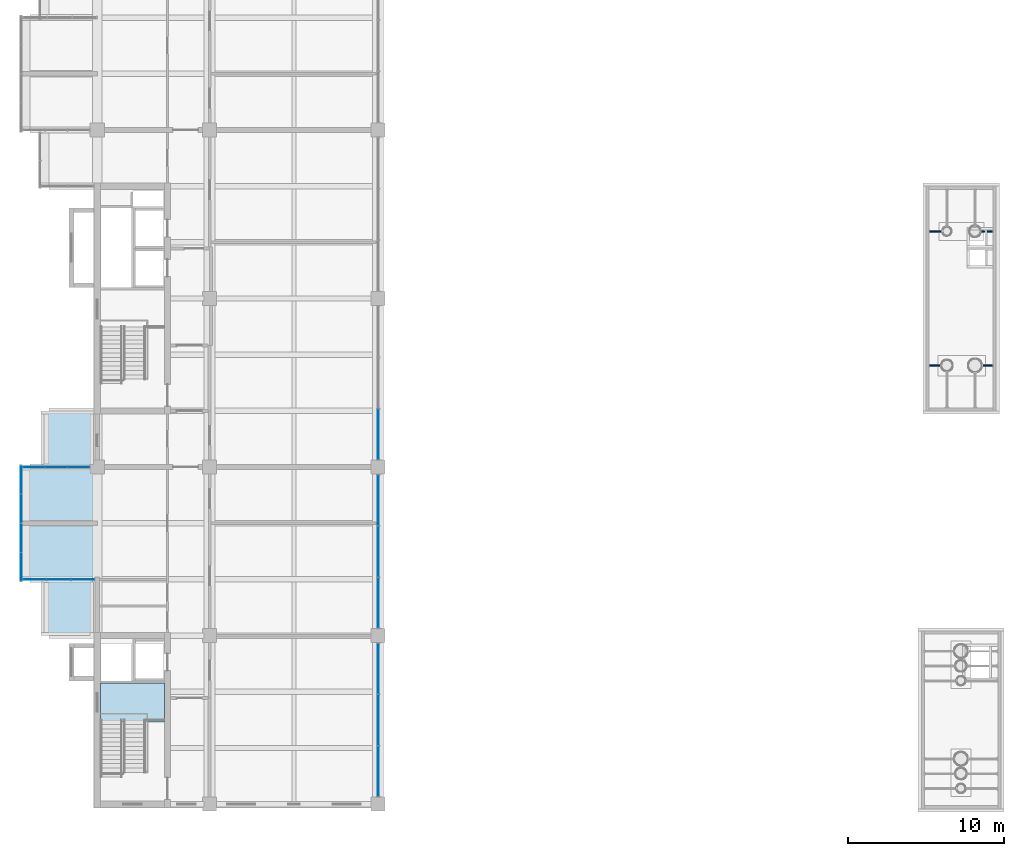
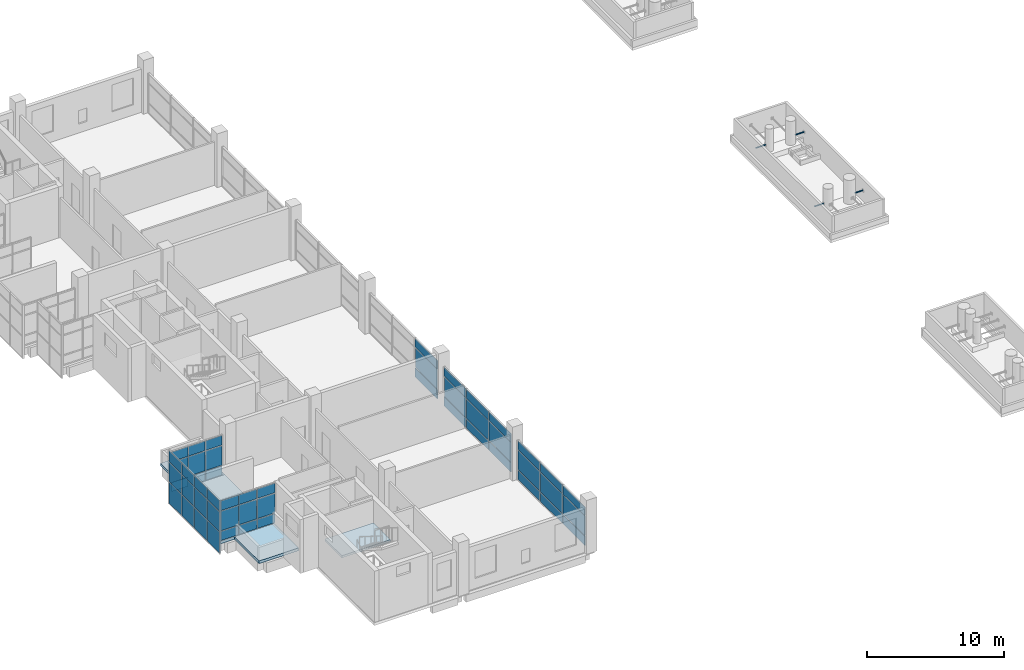
# One storey, part 11 of 22: 51 plates, 4 members, 4 slabs, 7 elements without a shape of their own.
"""IFC4 building model written with IfcOpenShell, lengths in metres."""

from ifc_helpers import new_model, si_unit, direction, frame, origin, origin_2d, place, context, subcontext, project, spatial, polyline, rectangle, hollow_circle, outline, extrude, material, layer, layer_set, material_profile, profile_set, type_object, element, aggregate, save


model = new_model("IFC4")

# Units and contexts
model_context = context("Model", 3, precision=1e-05, world=origin(), true_north=direction((0.0, 1.0)))
body_context = subcontext(model_context, "Body", "Model", "MODEL_VIEW")
ifc_project = project(units=[si_unit("LENGTHUNIT", "METRE"), si_unit("AREAUNIT", "SQUARE_METRE"), si_unit("VOLUMEUNIT", "CUBIC_METRE"), si_unit("PLANEANGLEUNIT", "RADIAN"), si_unit("MASSUNIT", "GRAM", prefix="KILO")], contexts=[model_context])

# Site, building, storey
site_placement = place(None, origin())
site = spatial("IfcSite", under=ifc_project, at=site_placement, CompositionType="ELEMENT")
building_placement = place(site_placement, origin())
building = spatial("IfcBuilding", under=site, at=building_placement, Name="Basin Gate Institute", CompositionType="ELEMENT")
storey_placement = place(building_placement, frame((0.0, 0.0, 51.0)))
storey = spatial("IfcBuildingStorey", under=building, at=storey_placement, Name="L10", CompositionType="ELEMENT", Elevation=51.0)

# Members
ifc_material_1 = material(Name="Structural steel SN490", Category="steel")
ifc_material_profile = material_profile(ifc_material_1, hollow_circle(Radius=0.05712890625, WallThickness=0.0048828125, at=origin_2d()), Name="CHS114x5")
ifc_profile_set = profile_set([ifc_material_profile], Name="Structural steel SN490")
member_type = type_object("IfcMemberType", Name="Exhaust pipe tie TD5", PredefinedType="BRACE", material=ifc_profile_set)
member_1_placement = place(storey_placement, frame((115.27490234375, 63.199951171875, 1.25), z_axis=(-1.0, 0.0, 0.0), x_axis=(0.0, -1.0, 0.0)))
element("IfcMember", 1, at=member_1_placement, inside=storey, type_object=member_type, material=ifc_profile_set, Name="Exhaust pipe tie TD5 EM 1a", PredefinedType="BRACE", context=body_context, shape_type="SweptSolid", body=[
    extrude(hollow_circle(Radius=0.05712890625, WallThickness=0.0048828125, at=origin_2d()), origin(), (0.0, 0.0, 1.0), 0.77490234375),
])
member_2_placement = place(storey_placement, frame((117.89990234375, 63.199951171875, 1.25), z_axis=(1.0, 0.0, 0.0), x_axis=(0.0, 1.0, 0.0)))
element("IfcMember", 2, at=member_2_placement, inside=storey, type_object=member_type, material=ifc_profile_set, Name="Exhaust pipe tie TD5 EM 2a", PredefinedType="BRACE", context=body_context, shape_type="SweptSolid", body=[
    extrude(hollow_circle(Radius=0.05712890625, WallThickness=0.0048828125, at=origin_2d()), origin(), (0.0, 0.0, 1.0), 0.7001953125),
])
member_3_placement = place(storey_placement, frame((115.35009765625, 71.800048828125, 1.25), z_axis=(-1.0, 0.0, 0.0), x_axis=(0.0, -1.0, 0.0)))
element("IfcMember", 3, at=member_3_placement, inside=storey, type_object=member_type, material=ifc_profile_set, Name="Exhaust pipe tie TD5 EM 3a", PredefinedType="BRACE", context=body_context, shape_type="SweptSolid", body=[
    extrude(hollow_circle(Radius=0.05712890625, WallThickness=0.0048828125, at=origin_2d()), origin(), (0.0, 0.0, 1.0), 0.85009765625),
])
member_4_placement = place(storey_placement, frame((117.824951171875, 71.800048828125, 1.25), z_axis=(1.0, 0.0, 0.0), x_axis=(0.0, 1.0, 0.0)))
element("IfcMember", 4, at=member_4_placement, inside=storey, type_object=member_type, material=ifc_profile_set, Name="Exhaust pipe tie TD5 EM 4a", PredefinedType="BRACE", context=body_context, shape_type="SweptSolid", body=[
    extrude(hollow_circle(Radius=0.05712890625, WallThickness=0.0048828125, at=origin_2d()), origin(), (0.0, 0.0, 1.0), 0.775146484375),
])

# Slabs
ifc_material_2 = material(Name="Concrete 40 MPa", Category="concrete")
ifc_layer_1 = layer(ifc_material_2, 0.25)
ifc_layer_set_1 = layer_set([ifc_layer_1], Name="Concrete 40 MPa")
slab_type_1 = type_object("IfcSlabType", Name="Slab RS4 R120", PredefinedType="ROOF", material=ifc_layer_set_1)
slab_1_placement = place(storey_placement, frame((0.0, 0.0, -0.25)))
element("IfcSlab", 5, at=slab_1_placement, inside=storey, type_object=slab_type_1, material=ifc_layer_set_1, Name="SLAB/L10/WK11", PredefinedType="ROOF", context=body_context, shape_type="SweptSolid", body=[
    extrude(outline(polyline([(57.60009765625, 45.89990234375), (60.949951171875, 45.89990234375), (60.949951171875, 49.5), (57.60009765625, 49.5), (57.60009765625, 45.89990234375)])), origin(), (0.0, 0.0, 1.0), 0.25),
])
slab_2_placement = place(storey_placement, frame((0.0, 0.0, -0.25)))
element("IfcSlab", 6, at=slab_2_placement, inside=storey, type_object=slab_type_1, material=ifc_layer_set_1, Name="SLAB/L10/WK14", PredefinedType="ROOF", context=body_context, shape_type="SweptSolid", body=[
    extrude(outline(polyline([(57.60009765625, 56.699951171875), (60.949951171875, 56.699951171875), (60.949951171875, 60.300048828125), (57.60009765625, 60.300048828125), (57.60009765625, 56.699951171875)])), origin(), (0.0, 0.0, 1.0), 0.25),
])
ifc_material_3 = material(Name="Concrete 40 MPa", Category="concrete")
ifc_layer_2 = layer(ifc_material_3, 0.25)
ifc_layer_set_2 = layer_set([ifc_layer_2], Name="Concrete 40 MPa")
slab_type_2 = type_object("IfcSlabType", Name="Slab SL4 R120", PredefinedType="FLOOR", material=ifc_layer_set_2)
slab_3_placement = place(storey_placement, frame((0.0, 0.0, -0.25)))
element("IfcSlab", 7, at=slab_3_placement, inside=storey, type_object=slab_type_2, material=ifc_layer_set_2, Name="SLAB/L10/WK12", PredefinedType="FLOOR", context=body_context, shape_type="SweptSolid", body=[
    extrude(outline(polyline([(60.949951171875, 49.5), (56.39990234375, 49.5), (56.39990234375, 56.699951171875), (60.949951171875, 56.699951171875), (60.949951171875, 49.5)])), origin(), (0.0, 0.0, 1.0), 0.25),
])

# Curtain wall, plates
ifc_material_4 = material(Name="Aluminium-framed glazing", Category="aluminium")
ifc_layer_3 = layer(ifc_material_4, 0.199951171875)
ifc_layer_set_3 = layer_set([ifc_layer_3], Name="Atrium curtain wall CW2")
curtain_wall_type_1 = type_object("IfcCurtainWallType", Name="Atrium curtain wall CW2", PredefinedType="NOTDEFINED", material=ifc_layer_set_3)
curtain_wall_1_placement = place(storey_placement, origin())
curtain_wall_1 = element("IfcCurtainWall", 8, at=curtain_wall_1_placement, inside=storey, type_object=curtain_wall_type_1, material=ifc_layer_set_3, Name="Atrium curtain wall W wing atrium bay 1 L10", PredefinedType="NOTDEFINED")
ifc_material_5 = material(Name="Aluminium insulated spandrel panel", Category="aluminium")
ifc_layer_4 = layer(ifc_material_5, 0.050048828125)
ifc_layer_set_4 = layer_set([ifc_layer_4], Name="Spandrel panel PN2")
plate_type_1 = type_object("IfcPlateType", Name="Spandrel panel PN2", PredefinedType="CURTAIN_PANEL", material=ifc_layer_set_4)
plate_1_placement = place(storey_placement, frame((79.199951171875, 37.215087890625, 0.06005859375), z_axis=(0.0, 0.0, 1.0), x_axis=(0.0, 1.0, 0.0)))
plate_1 = element("IfcPlate", 9, at=plate_1_placement, type_object=plate_type_1, material=ifc_layer_set_4, Name="CW2 spandrel panel 1.1", PredefinedType="CURTAIN_PANEL", context=body_context, shape_type="SweptSolid", body=[
    extrude(rectangle(XDim=3.2099609375, YDim=0.050048828125, at=origin_2d()), origin(), (0.0, 0.0, 1.0), 0.81005859375),
])
plate_2_placement = place(storey_placement, frame((79.199951171875, 37.215087890625, 2.72998046875), z_axis=(0.0, 0.0, 1.0), x_axis=(0.0, 1.0, 0.0)))
plate_2 = element("IfcPlate", 10, at=plate_2_placement, type_object=plate_type_1, material=ifc_layer_set_4, Name="CW2 spandrel panel 1.3", PredefinedType="CURTAIN_PANEL", context=body_context, shape_type="SweptSolid", body=[
    extrude(rectangle(XDim=3.2099609375, YDim=0.050048828125, at=origin_2d()), origin(), (0.0, 0.0, 1.0), 0.760009765625),
])
plate_3_placement = place(storey_placement, frame((79.199951171875, 40.5, 0.06005859375), z_axis=(0.0, 0.0, 1.0), x_axis=(0.0, 1.0, 0.0)))
plate_3 = element("IfcPlate", 11, at=plate_3_placement, type_object=plate_type_1, material=ifc_layer_set_4, Name="CW2 spandrel panel 2.1", PredefinedType="CURTAIN_PANEL", context=body_context, shape_type="SweptSolid", body=[
    extrude(rectangle(XDim=3.239990234375, YDim=0.050048828125, at=origin_2d()), origin(), (0.0, 0.0, 1.0), 0.81005859375),
])
plate_4_placement = place(storey_placement, frame((79.199951171875, 40.5, 2.72998046875), z_axis=(0.0, 0.0, 1.0), x_axis=(0.0, 1.0, 0.0)))
plate_4 = element("IfcPlate", 12, at=plate_4_placement, type_object=plate_type_1, material=ifc_layer_set_4, Name="CW2 spandrel panel 2.3", PredefinedType="CURTAIN_PANEL", context=body_context, shape_type="SweptSolid", body=[
    extrude(rectangle(XDim=3.239990234375, YDim=0.050048828125, at=origin_2d()), origin(), (0.0, 0.0, 1.0), 0.760009765625),
])
plate_5_placement = place(storey_placement, frame((79.199951171875, 43.784912109375, 0.06005859375), z_axis=(0.0, 0.0, 1.0), x_axis=(0.0, 1.0, 0.0)))
plate_5 = element("IfcPlate", 13, at=plate_5_placement, type_object=plate_type_1, material=ifc_layer_set_4, Name="CW2 spandrel panel 3.1", PredefinedType="CURTAIN_PANEL", context=body_context, shape_type="SweptSolid", body=[
    extrude(rectangle(XDim=3.2099609375, YDim=0.050048828125, at=origin_2d()), origin(), (0.0, 0.0, 1.0), 0.81005859375),
])
plate_6_placement = place(storey_placement, frame((79.199951171875, 43.784912109375, 2.72998046875), z_axis=(0.0, 0.0, 1.0), x_axis=(0.0, 1.0, 0.0)))
plate_6 = element("IfcPlate", 14, at=plate_6_placement, type_object=plate_type_1, material=ifc_layer_set_4, Name="CW2 spandrel panel 3.3", PredefinedType="CURTAIN_PANEL", context=body_context, shape_type="SweptSolid", body=[
    extrude(rectangle(XDim=3.2099609375, YDim=0.050048828125, at=origin_2d()), origin(), (0.0, 0.0, 1.0), 0.760009765625),
])

curtain_wall_2_placement = place(storey_placement, origin())
curtain_wall_2 = element("IfcCurtainWall", 15, at=curtain_wall_2_placement, inside=storey, type_object=curtain_wall_type_1, material=ifc_layer_set_3, Name="Atrium curtain wall W wing atrium bay 2 L10", PredefinedType="NOTDEFINED")
plate_7_placement = place(storey_placement, frame((79.199951171875, 48.014892578125, 0.06005859375), z_axis=(0.0, 0.0, 1.0), x_axis=(0.0, 1.0, 0.0)))
plate_7 = element("IfcPlate", 16, at=plate_7_placement, type_object=plate_type_1, material=ifc_layer_set_4, Name="CW2 spandrel panel 1.1", PredefinedType="CURTAIN_PANEL", context=body_context, shape_type="SweptSolid", body=[
    extrude(rectangle(XDim=3.2099609375, YDim=0.050048828125, at=origin_2d()), origin(), (0.0, 0.0, 1.0), 0.81005859375),
])
plate_8_placement = place(storey_placement, frame((79.199951171875, 48.014892578125, 2.72998046875), z_axis=(0.0, 0.0, 1.0), x_axis=(0.0, 1.0, 0.0)))
plate_8 = element("IfcPlate", 17, at=plate_8_placement, type_object=plate_type_1, material=ifc_layer_set_4, Name="CW2 spandrel panel 1.3", PredefinedType="CURTAIN_PANEL", context=body_context, shape_type="SweptSolid", body=[
    extrude(rectangle(XDim=3.2099609375, YDim=0.050048828125, at=origin_2d()), origin(), (0.0, 0.0, 1.0), 0.760009765625),
])
plate_9_placement = place(storey_placement, frame((79.199951171875, 51.300048828125, 0.06005859375), z_axis=(0.0, 0.0, 1.0), x_axis=(0.0, 1.0, 0.0)))
plate_9 = element("IfcPlate", 18, at=plate_9_placement, type_object=plate_type_1, material=ifc_layer_set_4, Name="CW2 spandrel panel 2.1", PredefinedType="CURTAIN_PANEL", context=body_context, shape_type="SweptSolid", body=[
    extrude(rectangle(XDim=3.239990234375, YDim=0.050048828125, at=origin_2d()), origin(), (0.0, 0.0, 1.0), 0.81005859375),
])
plate_10_placement = place(storey_placement, frame((79.199951171875, 51.300048828125, 2.72998046875), z_axis=(0.0, 0.0, 1.0), x_axis=(0.0, 1.0, 0.0)))
plate_10 = element("IfcPlate", 19, at=plate_10_placement, type_object=plate_type_1, material=ifc_layer_set_4, Name="CW2 spandrel panel 2.3", PredefinedType="CURTAIN_PANEL", context=body_context, shape_type="SweptSolid", body=[
    extrude(rectangle(XDim=3.239990234375, YDim=0.050048828125, at=origin_2d()), origin(), (0.0, 0.0, 1.0), 0.760009765625),
])
plate_11_placement = place(storey_placement, frame((79.199951171875, 54.5849609375, 0.06005859375), z_axis=(0.0, 0.0, 1.0), x_axis=(0.0, 1.0, 0.0)))
plate_11 = element("IfcPlate", 20, at=plate_11_placement, type_object=plate_type_1, material=ifc_layer_set_4, Name="CW2 spandrel panel 3.1", PredefinedType="CURTAIN_PANEL", context=body_context, shape_type="SweptSolid", body=[
    extrude(rectangle(XDim=3.2099609375, YDim=0.050048828125, at=origin_2d()), origin(), (0.0, 0.0, 1.0), 0.81005859375),
])
plate_12_placement = place(storey_placement, frame((79.199951171875, 54.5849609375, 2.72998046875), z_axis=(0.0, 0.0, 1.0), x_axis=(0.0, 1.0, 0.0)))
plate_12 = element("IfcPlate", 21, at=plate_12_placement, type_object=plate_type_1, material=ifc_layer_set_4, Name="CW2 spandrel panel 3.3", PredefinedType="CURTAIN_PANEL", context=body_context, shape_type="SweptSolid", body=[
    extrude(rectangle(XDim=3.2099609375, YDim=0.050048828125, at=origin_2d()), origin(), (0.0, 0.0, 1.0), 0.760009765625),
])

curtain_wall_3_placement = place(storey_placement, origin())
curtain_wall_3 = element("IfcCurtainWall", 22, at=curtain_wall_3_placement, inside=storey, type_object=curtain_wall_type_1, material=ifc_layer_set_3, Name="Atrium curtain wall W wing atrium bay 3 L10", PredefinedType="NOTDEFINED")
plate_13_placement = place(storey_placement, frame((79.199951171875, 58.81494140625, 0.06005859375), z_axis=(0.0, 0.0, 1.0), x_axis=(0.0, 1.0, 0.0)))
plate_13 = element("IfcPlate", 23, at=plate_13_placement, type_object=plate_type_1, material=ifc_layer_set_4, Name="CW2 spandrel panel 1.1", PredefinedType="CURTAIN_PANEL", context=body_context, shape_type="SweptSolid", body=[
    extrude(rectangle(XDim=3.2099609375, YDim=0.050048828125, at=origin_2d()), origin(), (0.0, 0.0, 1.0), 0.81005859375),
])
plate_14_placement = place(storey_placement, frame((79.199951171875, 58.81494140625, 2.72998046875), z_axis=(0.0, 0.0, 1.0), x_axis=(0.0, 1.0, 0.0)))
plate_14 = element("IfcPlate", 24, at=plate_14_placement, type_object=plate_type_1, material=ifc_layer_set_4, Name="CW2 spandrel panel 1.3", PredefinedType="CURTAIN_PANEL", context=body_context, shape_type="SweptSolid", body=[
    extrude(rectangle(XDim=3.2099609375, YDim=0.050048828125, at=origin_2d()), origin(), (0.0, 0.0, 1.0), 0.760009765625),
])

ifc_material_6 = material(Name="Aluminium-framed glazing", Category="aluminium")
ifc_layer_5 = layer(ifc_material_6, 0.14990234375)
ifc_layer_set_5 = layer_set([ifc_layer_5], Name="Capsule front curtain wall CW1")
curtain_wall_type_2 = type_object("IfcCurtainWallType", Name="Capsule front curtain wall CW1", PredefinedType="NOTDEFINED", material=ifc_layer_set_5)
curtain_wall_4_placement = place(storey_placement, origin())
curtain_wall_4 = element("IfcCurtainWall", 25, at=curtain_wall_4_placement, inside=storey, type_object=curtain_wall_type_2, material=ifc_layer_set_5, Name="Capsule front curtain wall W wing capsule end L10 line 5", PredefinedType="NOTDEFINED")
plate_15_placement = place(storey_placement, frame((57.1875, 49.5, 0.06005859375), z_axis=(0.0, 0.0, 1.0), x_axis=(1.0, 0.0, 0.0)))
plate_15 = element("IfcPlate", 26, at=plate_15_placement, type_object=plate_type_1, material=ifc_layer_set_4, Name="CW1 spandrel panel 1.1", PredefinedType="CURTAIN_PANEL", context=body_context, shape_type="SweptSolid", body=[
    extrude(rectangle(XDim=1.47509765625, YDim=0.050048828125, at=origin_2d()), origin(), (0.0, 0.0, 1.0), 0.81005859375),
])
plate_16_placement = place(storey_placement, frame((58.72509765625, 49.5, 0.06005859375), z_axis=(0.0, 0.0, 1.0), x_axis=(1.0, 0.0, 0.0)))
plate_16 = element("IfcPlate", 27, at=plate_16_placement, type_object=plate_type_1, material=ifc_layer_set_4, Name="CW1 spandrel panel 2.1", PredefinedType="CURTAIN_PANEL", context=body_context, shape_type="SweptSolid", body=[
    extrude(rectangle(XDim=1.5, YDim=0.050048828125, at=origin_2d()), origin(), (0.0, 0.0, 1.0), 0.81005859375),
])
plate_17_placement = place(storey_placement, frame((60.262451171875, 49.5, 0.06005859375), z_axis=(0.0, 0.0, 1.0), x_axis=(1.0, 0.0, 0.0)))
plate_17 = element("IfcPlate", 28, at=plate_17_placement, type_object=plate_type_1, material=ifc_layer_set_4, Name="CW1 spandrel panel 3.1", PredefinedType="CURTAIN_PANEL", context=body_context, shape_type="SweptSolid", body=[
    extrude(rectangle(XDim=1.47509765625, YDim=0.050048828125, at=origin_2d()), origin(), (0.0, 0.0, 1.0), 0.81005859375),
])

curtain_wall_5_placement = place(storey_placement, origin())
curtain_wall_5 = element("IfcCurtainWall", 29, at=curtain_wall_5_placement, inside=storey, type_object=curtain_wall_type_2, material=ifc_layer_set_5, Name="Capsule front curtain wall W wing capsule end L10 line 7", PredefinedType="NOTDEFINED")
plate_18_placement = place(storey_placement, frame((57.137451171875, 56.699951171875, 0.06005859375), z_axis=(0.0, 0.0, 1.0), x_axis=(1.0, 0.0, 0.0)))
plate_18 = element("IfcPlate", 30, at=plate_18_placement, type_object=plate_type_1, material=ifc_layer_set_4, Name="CW1 spandrel panel 1.1", PredefinedType="CURTAIN_PANEL", context=body_context, shape_type="SweptSolid", body=[
    extrude(rectangle(XDim=1.375, YDim=0.050048828125, at=origin_2d()), origin(), (0.0, 0.0, 1.0), 0.81005859375),
])
plate_19_placement = place(storey_placement, frame((58.574951171875, 56.699951171875, 0.06005859375), z_axis=(0.0, 0.0, 1.0), x_axis=(1.0, 0.0, 0.0)))
plate_19 = element("IfcPlate", 31, at=plate_19_placement, type_object=plate_type_1, material=ifc_layer_set_4, Name="CW1 spandrel panel 2.1", PredefinedType="CURTAIN_PANEL", context=body_context, shape_type="SweptSolid", body=[
    extrude(rectangle(XDim=1.39990234375, YDim=0.050048828125, at=origin_2d()), origin(), (0.0, 0.0, 1.0), 0.81005859375),
])
plate_20_placement = place(storey_placement, frame((60.012451171875, 56.699951171875, 0.06005859375), z_axis=(0.0, 0.0, 1.0), x_axis=(1.0, 0.0, 0.0)))
plate_20 = element("IfcPlate", 32, at=plate_20_placement, type_object=plate_type_1, material=ifc_layer_set_4, Name="CW1 spandrel panel 3.1", PredefinedType="CURTAIN_PANEL", context=body_context, shape_type="SweptSolid", body=[
    extrude(rectangle(XDim=1.375, YDim=0.050048828125, at=origin_2d()), origin(), (0.0, 0.0, 1.0), 0.81005859375),
])

curtain_wall_6_placement = place(storey_placement, origin())
curtain_wall_6 = element("IfcCurtainWall", 33, at=curtain_wall_6_placement, inside=storey, type_object=curtain_wall_type_2, material=ifc_layer_set_5, Name="Capsule front curtain wall W wing capsule 1 L10 front 2", PredefinedType="NOTDEFINED")
plate_21_placement = place(storey_placement, frame((56.324951171875, 50.300048828125, -0.990234375), z_axis=(0.0, 0.0, 1.0), x_axis=(0.0, 1.0, 0.0)))
plate_21 = element("IfcPlate", 34, at=plate_21_placement, type_object=plate_type_1, material=ifc_layer_set_4, Name="CW1 spandrel panel 1.1", PredefinedType="CURTAIN_PANEL", context=body_context, shape_type="SweptSolid", body=[
    extrude(rectangle(XDim=1.800048828125, YDim=0.050048828125, at=origin_2d()), origin(), (0.0, 0.0, 1.0), 1.860107421875),
])
plate_22_placement = place(storey_placement, frame((56.324951171875, 52.16259765625, -0.990234375), z_axis=(0.0, 0.0, 1.0), x_axis=(0.0, 1.0, 0.0)))
plate_22 = element("IfcPlate", 35, at=plate_22_placement, type_object=plate_type_1, material=ifc_layer_set_4, Name="CW1 spandrel panel 2.1", PredefinedType="CURTAIN_PANEL", context=body_context, shape_type="SweptSolid", body=[
    extrude(rectangle(XDim=1.824951171875, YDim=0.050048828125, at=origin_2d()), origin(), (0.0, 0.0, 1.0), 1.860107421875),
])
plate_23_placement = place(storey_placement, frame((56.324951171875, 54.03759765625, -0.990234375), z_axis=(0.0, 0.0, 1.0), x_axis=(0.0, 1.0, 0.0)))
plate_23 = element("IfcPlate", 36, at=plate_23_placement, type_object=plate_type_1, material=ifc_layer_set_4, Name="CW1 spandrel panel 3.1", PredefinedType="CURTAIN_PANEL", context=body_context, shape_type="SweptSolid", body=[
    extrude(rectangle(XDim=1.824951171875, YDim=0.050048828125, at=origin_2d()), origin(), (0.0, 0.0, 1.0), 1.860107421875),
])
plate_24_placement = place(storey_placement, frame((56.324951171875, 55.89990234375, -0.990234375), z_axis=(0.0, 0.0, 1.0), x_axis=(0.0, 1.0, 0.0)))
plate_24 = element("IfcPlate", 37, at=plate_24_placement, type_object=plate_type_1, material=ifc_layer_set_4, Name="CW1 spandrel panel 4.1", PredefinedType="CURTAIN_PANEL", context=body_context, shape_type="SweptSolid", body=[
    extrude(rectangle(XDim=1.800048828125, YDim=0.050048828125, at=origin_2d()), origin(), (0.0, 0.0, 1.0), 1.860107421875),
])

# Stair, slab
ifc_material_7 = material(Name="Concrete 40 MPa", Category="concrete")
stair_type = type_object("IfcStairType", Name="Stair ST", PredefinedType="HALF_TURN_STAIR", material=ifc_material_7)
stair_placement = place(storey_placement, origin())
stair = element("IfcStair", 38, at=stair_placement, inside=storey, type_object=stair_type, material=ifc_material_7, Name="Special safe stair ST-WS L10", PredefinedType="HALF_TURN_STAIR")
ifc_material_8 = material(Name="Concrete 40 MPa", Category="concrete")
ifc_layer_6 = layer(ifc_material_8, 0.199951171875)
ifc_layer_set_6 = layer_set([ifc_layer_6], Name="Concrete 40 MPa")
slab_type_3 = type_object("IfcSlabType", Name="Stair landing LN REI 120", PredefinedType="LANDING", material=ifc_layer_set_6)
slab_4_placement = place(storey_placement, frame((0.0, 0.0, 2.288818359375)))
slab_4 = element("IfcSlab", 39, at=slab_4_placement, type_object=slab_type_3, material=ifc_layer_set_6, Name="Stair landing ST-WS-L1 L10", PredefinedType="LANDING", context=body_context, shape_type="SweptSolid", body=[
    extrude(outline(polyline([(61.39990234375, 40.3701171875), (65.5, 40.3701171875), (65.5, 42.85009765625), (61.39990234375, 42.85009765625), (61.39990234375, 40.3701171875)])), origin(), (0.0, 0.0, 1.0), 0.199951171875),
])
aggregate(stair, [slab_4])

# Plate
ifc_material_9 = material(Name="Double glazed unit")
ifc_layer_7 = layer(ifc_material_9, 0.028076171875)
ifc_layer_set_7 = layer_set([ifc_layer_7], Name="Vision panel PN1")
plate_type_2 = type_object("IfcPlateType", Name="Vision panel PN1", PredefinedType="CURTAIN_PANEL", material=ifc_layer_set_7)
plate_25_placement = place(storey_placement, frame((79.199951171875, 37.215087890625, 0.93017578125), z_axis=(0.0, 0.0, 1.0), x_axis=(0.0, 1.0, 0.0)))
plate_25 = element("IfcPlate", 40, at=plate_25_placement, type_object=plate_type_2, material=ifc_layer_set_7, Name="CW2 vision panel 1.2", PredefinedType="CURTAIN_PANEL", context=body_context, shape_type="SweptSolid", body=[
    extrude(rectangle(XDim=3.2099609375, YDim=0.028076171875, at=origin_2d()), origin(), (0.0, 0.0, 1.0), 1.739990234375),
])

plate_26_placement = place(storey_placement, frame((79.199951171875, 40.5, 0.93017578125), z_axis=(0.0, 0.0, 1.0), x_axis=(0.0, 1.0, 0.0)))
plate_26 = element("IfcPlate", 41, at=plate_26_placement, type_object=plate_type_2, material=ifc_layer_set_7, Name="CW2 vision panel 2.2", PredefinedType="CURTAIN_PANEL", context=body_context, shape_type="SweptSolid", body=[
    extrude(rectangle(XDim=3.239990234375, YDim=0.028076171875, at=origin_2d()), origin(), (0.0, 0.0, 1.0), 1.739990234375),
])

plate_27_placement = place(storey_placement, frame((79.199951171875, 43.784912109375, 0.93017578125), z_axis=(0.0, 0.0, 1.0), x_axis=(0.0, 1.0, 0.0)))
plate_27 = element("IfcPlate", 42, at=plate_27_placement, type_object=plate_type_2, material=ifc_layer_set_7, Name="CW2 vision panel 3.2", PredefinedType="CURTAIN_PANEL", context=body_context, shape_type="SweptSolid", body=[
    extrude(rectangle(XDim=3.2099609375, YDim=0.028076171875, at=origin_2d()), origin(), (0.0, 0.0, 1.0), 1.739990234375),
])

aggregate(curtain_wall_1, [plate_1, plate_25, plate_2, plate_3, plate_26, plate_4, plate_5, plate_27, plate_6])

plate_28_placement = place(storey_placement, frame((79.199951171875, 48.014892578125, 0.93017578125), z_axis=(0.0, 0.0, 1.0), x_axis=(0.0, 1.0, 0.0)))
plate_28 = element("IfcPlate", 43, at=plate_28_placement, type_object=plate_type_2, material=ifc_layer_set_7, Name="CW2 vision panel 1.2", PredefinedType="CURTAIN_PANEL", context=body_context, shape_type="SweptSolid", body=[
    extrude(rectangle(XDim=3.2099609375, YDim=0.028076171875, at=origin_2d()), origin(), (0.0, 0.0, 1.0), 1.739990234375),
])

plate_29_placement = place(storey_placement, frame((79.199951171875, 51.300048828125, 0.93017578125), z_axis=(0.0, 0.0, 1.0), x_axis=(0.0, 1.0, 0.0)))
plate_29 = element("IfcPlate", 44, at=plate_29_placement, type_object=plate_type_2, material=ifc_layer_set_7, Name="CW2 vision panel 2.2", PredefinedType="CURTAIN_PANEL", context=body_context, shape_type="SweptSolid", body=[
    extrude(rectangle(XDim=3.239990234375, YDim=0.028076171875, at=origin_2d()), origin(), (0.0, 0.0, 1.0), 1.739990234375),
])

plate_30_placement = place(storey_placement, frame((79.199951171875, 54.5849609375, 0.93017578125), z_axis=(0.0, 0.0, 1.0), x_axis=(0.0, 1.0, 0.0)))
plate_30 = element("IfcPlate", 45, at=plate_30_placement, type_object=plate_type_2, material=ifc_layer_set_7, Name="CW2 vision panel 3.2", PredefinedType="CURTAIN_PANEL", context=body_context, shape_type="SweptSolid", body=[
    extrude(rectangle(XDim=3.2099609375, YDim=0.028076171875, at=origin_2d()), origin(), (0.0, 0.0, 1.0), 1.739990234375),
])

aggregate(curtain_wall_2, [plate_7, plate_28, plate_8, plate_9, plate_29, plate_10, plate_11, plate_30, plate_12])

plate_31_placement = place(storey_placement, frame((79.199951171875, 58.81494140625, 0.93017578125), z_axis=(0.0, 0.0, 1.0), x_axis=(0.0, 1.0, 0.0)))
plate_31 = element("IfcPlate", 46, at=plate_31_placement, type_object=plate_type_2, material=ifc_layer_set_7, Name="CW2 vision panel 1.2", PredefinedType="CURTAIN_PANEL", context=body_context, shape_type="SweptSolid", body=[
    extrude(rectangle(XDim=3.2099609375, YDim=0.028076171875, at=origin_2d()), origin(), (0.0, 0.0, 1.0), 1.739990234375),
])

aggregate(curtain_wall_3, [plate_13, plate_31, plate_14])

plate_32_placement = place(storey_placement, frame((57.1875, 49.5, 0.93017578125), z_axis=(0.0, 0.0, 1.0), x_axis=(1.0, 0.0, 0.0)))
plate_32 = element("IfcPlate", 47, at=plate_32_placement, type_object=plate_type_2, material=ifc_layer_set_7, Name="CW1 vision panel 1.2", PredefinedType="CURTAIN_PANEL", context=body_context, shape_type="SweptSolid", body=[
    extrude(rectangle(XDim=1.47509765625, YDim=0.028076171875, at=origin_2d()), origin(), (0.0, 0.0, 1.0), 1.739990234375),
])

plate_33_placement = place(storey_placement, frame((57.1875, 49.5, 2.72998046875), z_axis=(0.0, 0.0, 1.0), x_axis=(1.0, 0.0, 0.0)))
plate_33 = element("IfcPlate", 48, at=plate_33_placement, type_object=plate_type_2, material=ifc_layer_set_7, Name="CW1 vision panel 1.3", PredefinedType="CURTAIN_PANEL", context=body_context, shape_type="SweptSolid", body=[
    extrude(rectangle(XDim=1.47509765625, YDim=0.028076171875, at=origin_2d()), origin(), (0.0, 0.0, 1.0), 0.860107421875),
])

plate_34_placement = place(storey_placement, frame((58.72509765625, 49.5, 0.93017578125), z_axis=(0.0, 0.0, 1.0), x_axis=(1.0, 0.0, 0.0)))
plate_34 = element("IfcPlate", 49, at=plate_34_placement, type_object=plate_type_2, material=ifc_layer_set_7, Name="CW1 vision panel 2.2", PredefinedType="CURTAIN_PANEL", context=body_context, shape_type="SweptSolid", body=[
    extrude(rectangle(XDim=1.5, YDim=0.028076171875, at=origin_2d()), origin(), (0.0, 0.0, 1.0), 1.739990234375),
])

plate_35_placement = place(storey_placement, frame((58.72509765625, 49.5, 2.72998046875), z_axis=(0.0, 0.0, 1.0), x_axis=(1.0, 0.0, 0.0)))
plate_35 = element("IfcPlate", 50, at=plate_35_placement, type_object=plate_type_2, material=ifc_layer_set_7, Name="CW1 vision panel 2.3", PredefinedType="CURTAIN_PANEL", context=body_context, shape_type="SweptSolid", body=[
    extrude(rectangle(XDim=1.5, YDim=0.028076171875, at=origin_2d()), origin(), (0.0, 0.0, 1.0), 0.860107421875),
])

plate_36_placement = place(storey_placement, frame((60.262451171875, 49.5, 0.93017578125), z_axis=(0.0, 0.0, 1.0), x_axis=(1.0, 0.0, 0.0)))
plate_36 = element("IfcPlate", 51, at=plate_36_placement, type_object=plate_type_2, material=ifc_layer_set_7, Name="CW1 vision panel 3.2", PredefinedType="CURTAIN_PANEL", context=body_context, shape_type="SweptSolid", body=[
    extrude(rectangle(XDim=1.47509765625, YDim=0.028076171875, at=origin_2d()), origin(), (0.0, 0.0, 1.0), 1.739990234375),
])

plate_37_placement = place(storey_placement, frame((60.262451171875, 49.5, 2.72998046875), z_axis=(0.0, 0.0, 1.0), x_axis=(1.0, 0.0, 0.0)))
plate_37 = element("IfcPlate", 52, at=plate_37_placement, type_object=plate_type_2, material=ifc_layer_set_7, Name="CW1 vision panel 3.3", PredefinedType="CURTAIN_PANEL", context=body_context, shape_type="SweptSolid", body=[
    extrude(rectangle(XDim=1.47509765625, YDim=0.028076171875, at=origin_2d()), origin(), (0.0, 0.0, 1.0), 0.860107421875),
])

aggregate(curtain_wall_4, [plate_15, plate_32, plate_33, plate_16, plate_34, plate_35, plate_17, plate_36, plate_37])

plate_38_placement = place(storey_placement, frame((57.137451171875, 56.699951171875, 0.93017578125), z_axis=(0.0, 0.0, 1.0), x_axis=(1.0, 0.0, 0.0)))
plate_38 = element("IfcPlate", 53, at=plate_38_placement, type_object=plate_type_2, material=ifc_layer_set_7, Name="CW1 vision panel 1.2", PredefinedType="CURTAIN_PANEL", context=body_context, shape_type="SweptSolid", body=[
    extrude(rectangle(XDim=1.375, YDim=0.028076171875, at=origin_2d()), origin(), (0.0, 0.0, 1.0), 1.739990234375),
])

plate_39_placement = place(storey_placement, frame((57.137451171875, 56.699951171875, 2.72998046875), z_axis=(0.0, 0.0, 1.0), x_axis=(1.0, 0.0, 0.0)))
plate_39 = element("IfcPlate", 54, at=plate_39_placement, type_object=plate_type_2, material=ifc_layer_set_7, Name="CW1 vision panel 1.3", PredefinedType="CURTAIN_PANEL", context=body_context, shape_type="SweptSolid", body=[
    extrude(rectangle(XDim=1.375, YDim=0.028076171875, at=origin_2d()), origin(), (0.0, 0.0, 1.0), 0.860107421875),
])

plate_40_placement = place(storey_placement, frame((58.574951171875, 56.699951171875, 0.93017578125), z_axis=(0.0, 0.0, 1.0), x_axis=(1.0, 0.0, 0.0)))
plate_40 = element("IfcPlate", 55, at=plate_40_placement, type_object=plate_type_2, material=ifc_layer_set_7, Name="CW1 vision panel 2.2", PredefinedType="CURTAIN_PANEL", context=body_context, shape_type="SweptSolid", body=[
    extrude(rectangle(XDim=1.39990234375, YDim=0.028076171875, at=origin_2d()), origin(), (0.0, 0.0, 1.0), 1.739990234375),
])

plate_41_placement = place(storey_placement, frame((58.574951171875, 56.699951171875, 2.72998046875), z_axis=(0.0, 0.0, 1.0), x_axis=(1.0, 0.0, 0.0)))
plate_41 = element("IfcPlate", 56, at=plate_41_placement, type_object=plate_type_2, material=ifc_layer_set_7, Name="CW1 vision panel 2.3", PredefinedType="CURTAIN_PANEL", context=body_context, shape_type="SweptSolid", body=[
    extrude(rectangle(XDim=1.39990234375, YDim=0.028076171875, at=origin_2d()), origin(), (0.0, 0.0, 1.0), 0.860107421875),
])

plate_42_placement = place(storey_placement, frame((60.012451171875, 56.699951171875, 0.93017578125), z_axis=(0.0, 0.0, 1.0), x_axis=(1.0, 0.0, 0.0)))
plate_42 = element("IfcPlate", 57, at=plate_42_placement, type_object=plate_type_2, material=ifc_layer_set_7, Name="CW1 vision panel 3.2", PredefinedType="CURTAIN_PANEL", context=body_context, shape_type="SweptSolid", body=[
    extrude(rectangle(XDim=1.375, YDim=0.028076171875, at=origin_2d()), origin(), (0.0, 0.0, 1.0), 1.739990234375),
])

plate_43_placement = place(storey_placement, frame((60.012451171875, 56.699951171875, 2.72998046875), z_axis=(0.0, 0.0, 1.0), x_axis=(1.0, 0.0, 0.0)))
plate_43 = element("IfcPlate", 58, at=plate_43_placement, type_object=plate_type_2, material=ifc_layer_set_7, Name="CW1 vision panel 3.3", PredefinedType="CURTAIN_PANEL", context=body_context, shape_type="SweptSolid", body=[
    extrude(rectangle(XDim=1.375, YDim=0.028076171875, at=origin_2d()), origin(), (0.0, 0.0, 1.0), 0.860107421875),
])

aggregate(curtain_wall_5, [plate_18, plate_38, plate_39, plate_19, plate_40, plate_41, plate_20, plate_42, plate_43])

plate_44_placement = place(storey_placement, frame((56.324951171875, 50.300048828125, 0.93017578125), z_axis=(0.0, 0.0, 1.0), x_axis=(0.0, 1.0, 0.0)))
plate_44 = element("IfcPlate", 59, at=plate_44_placement, type_object=plate_type_2, material=ifc_layer_set_7, Name="CW1 vision panel 1.2", PredefinedType="CURTAIN_PANEL", context=body_context, shape_type="SweptSolid", body=[
    extrude(rectangle(XDim=1.800048828125, YDim=0.028076171875, at=origin_2d()), origin(), (0.0, 0.0, 1.0), 1.739990234375),
])

plate_45_placement = place(storey_placement, frame((56.324951171875, 50.300048828125, 2.72998046875), z_axis=(0.0, 0.0, 1.0), x_axis=(0.0, 1.0, 0.0)))
plate_45 = element("IfcPlate", 60, at=plate_45_placement, type_object=plate_type_2, material=ifc_layer_set_7, Name="CW1 vision panel 1.3", PredefinedType="CURTAIN_PANEL", context=body_context, shape_type="SweptSolid", body=[
    extrude(rectangle(XDim=1.800048828125, YDim=0.028076171875, at=origin_2d()), origin(), (0.0, 0.0, 1.0), 0.9599609375),
])

plate_46_placement = place(storey_placement, frame((56.324951171875, 52.16259765625, 0.93017578125), z_axis=(0.0, 0.0, 1.0), x_axis=(0.0, 1.0, 0.0)))
plate_46 = element("IfcPlate", 61, at=plate_46_placement, type_object=plate_type_2, material=ifc_layer_set_7, Name="CW1 vision panel 2.2", PredefinedType="CURTAIN_PANEL", context=body_context, shape_type="SweptSolid", body=[
    extrude(rectangle(XDim=1.824951171875, YDim=0.028076171875, at=origin_2d()), origin(), (0.0, 0.0, 1.0), 1.739990234375),
])

plate_47_placement = place(storey_placement, frame((56.324951171875, 52.16259765625, 2.72998046875), z_axis=(0.0, 0.0, 1.0), x_axis=(0.0, 1.0, 0.0)))
plate_47 = element("IfcPlate", 62, at=plate_47_placement, type_object=plate_type_2, material=ifc_layer_set_7, Name="CW1 vision panel 2.3", PredefinedType="CURTAIN_PANEL", context=body_context, shape_type="SweptSolid", body=[
    extrude(rectangle(XDim=1.824951171875, YDim=0.028076171875, at=origin_2d()), origin(), (0.0, 0.0, 1.0), 0.9599609375),
])

plate_48_placement = place(storey_placement, frame((56.324951171875, 54.03759765625, 0.93017578125), z_axis=(0.0, 0.0, 1.0), x_axis=(0.0, 1.0, 0.0)))
plate_48 = element("IfcPlate", 63, at=plate_48_placement, type_object=plate_type_2, material=ifc_layer_set_7, Name="CW1 vision panel 3.2", PredefinedType="CURTAIN_PANEL", context=body_context, shape_type="SweptSolid", body=[
    extrude(rectangle(XDim=1.824951171875, YDim=0.028076171875, at=origin_2d()), origin(), (0.0, 0.0, 1.0), 1.739990234375),
])

plate_49_placement = place(storey_placement, frame((56.324951171875, 54.03759765625, 2.72998046875), z_axis=(0.0, 0.0, 1.0), x_axis=(0.0, 1.0, 0.0)))
plate_49 = element("IfcPlate", 64, at=plate_49_placement, type_object=plate_type_2, material=ifc_layer_set_7, Name="CW1 vision panel 3.3", PredefinedType="CURTAIN_PANEL", context=body_context, shape_type="SweptSolid", body=[
    extrude(rectangle(XDim=1.824951171875, YDim=0.028076171875, at=origin_2d()), origin(), (0.0, 0.0, 1.0), 0.9599609375),
])

plate_50_placement = place(storey_placement, frame((56.324951171875, 55.89990234375, 0.93017578125), z_axis=(0.0, 0.0, 1.0), x_axis=(0.0, 1.0, 0.0)))
plate_50 = element("IfcPlate", 65, at=plate_50_placement, type_object=plate_type_2, material=ifc_layer_set_7, Name="CW1 vision panel 4.2", PredefinedType="CURTAIN_PANEL", context=body_context, shape_type="SweptSolid", body=[
    extrude(rectangle(XDim=1.800048828125, YDim=0.028076171875, at=origin_2d()), origin(), (0.0, 0.0, 1.0), 1.739990234375),
])

plate_51_placement = place(storey_placement, frame((56.324951171875, 55.89990234375, 2.72998046875), z_axis=(0.0, 0.0, 1.0), x_axis=(0.0, 1.0, 0.0)))
plate_51 = element("IfcPlate", 66, at=plate_51_placement, type_object=plate_type_2, material=ifc_layer_set_7, Name="CW1 vision panel 4.3", PredefinedType="CURTAIN_PANEL", context=body_context, shape_type="SweptSolid", body=[
    extrude(rectangle(XDim=1.800048828125, YDim=0.028076171875, at=origin_2d()), origin(), (0.0, 0.0, 1.0), 0.9599609375),
])

aggregate(curtain_wall_6, [plate_21, plate_44, plate_45, plate_22, plate_46, plate_47, plate_23, plate_48, plate_49, plate_24, plate_50, plate_51])

save(model, "model.ifc")
